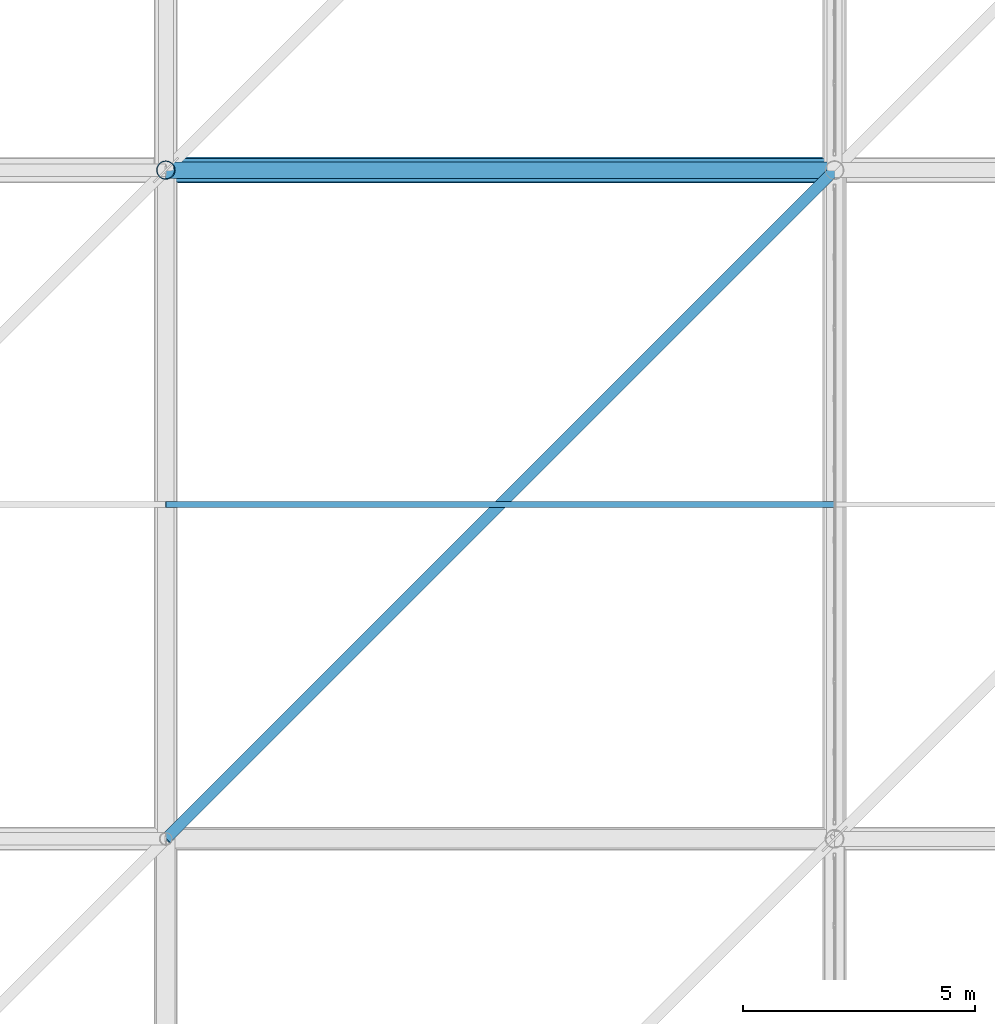
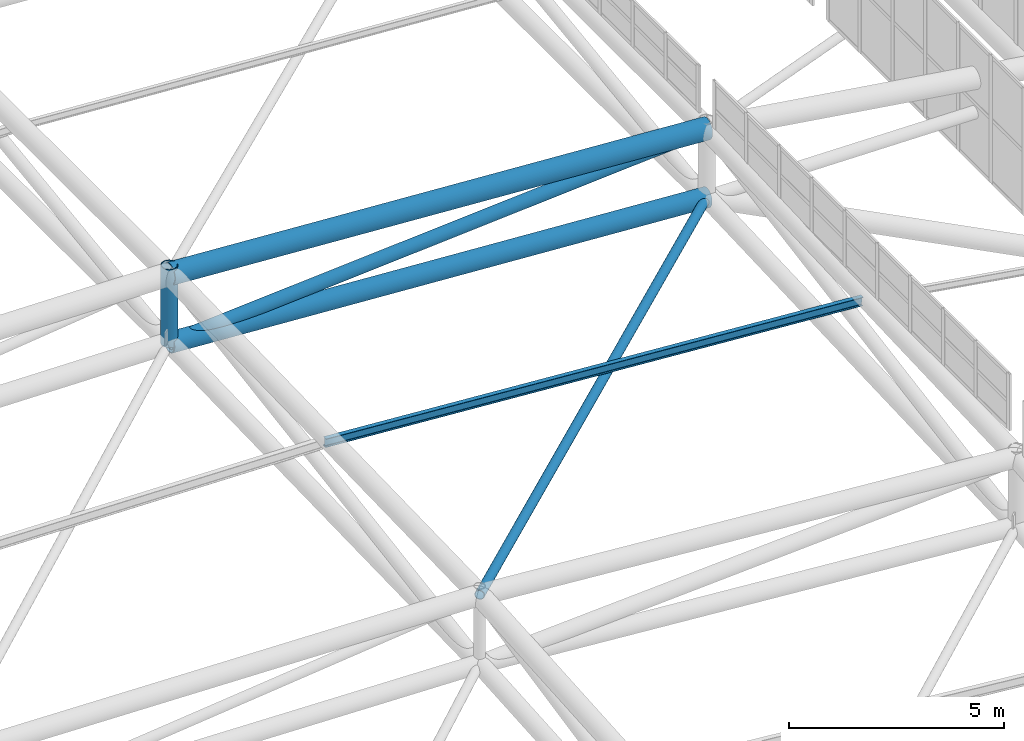
# One storey, part 136 of 397: 4 members, 2 beams.
"""IFC4 building model written with IfcOpenShell, lengths in metres."""

from ifc_helpers import new_model, si_unit, direction, frame, origin, origin_2d, place, context, subcontext, project, spatial, hollow_circle, i_section, extrude, material, material_profile, profile_set, type_object, element, save


model = new_model("IFC4")

# Units and contexts
model_context = context("Model", 3, precision=1e-05, world=origin(), true_north=direction((0.0, 1.0)))
body_context = subcontext(model_context, "Body", "Model", "MODEL_VIEW")
ifc_project = project(units=[si_unit("LENGTHUNIT", "METRE"), si_unit("AREAUNIT", "SQUARE_METRE"), si_unit("VOLUMEUNIT", "CUBIC_METRE"), si_unit("PLANEANGLEUNIT", "RADIAN"), si_unit("MASSUNIT", "GRAM", prefix="KILO")], contexts=[model_context])

# Site, building, storey
site_placement = place(None, origin())
site = spatial("IfcSite", under=ifc_project, at=site_placement, CompositionType="ELEMENT")
building_placement = place(site_placement, origin())
building = spatial("IfcBuilding", under=site, at=building_placement, Name="Qandorah Velis Arena", CompositionType="ELEMENT")
storey_placement = place(building_placement, frame((0.0, 0.0, 27.5)))
storey = spatial("IfcBuildingStorey", under=building, at=storey_placement, Name="RF", CompositionType="ELEMENT", Elevation=27.5)

# Member
ifc_material_1 = material(Name="Steel S355", Category="steel")
ifc_material_profile_1 = material_profile(ifc_material_1, i_section(OverallWidth=0.1201171875, OverallDepth=0.239990234375, WebThickness=0.006103515625, FlangeThickness=0.009765625, FilletRadius=0.014892578125, at=origin_2d()), Name="IPE 240")
ifc_profile_set_1 = profile_set([ifc_material_profile_1], Name="Steel S355")
member_type_1 = type_object("IfcMemberType", Name="STR-PRL-IPE240", PredefinedType="PURLIN", material=ifc_profile_set_1)
member_1_placement = place(storey_placement, frame((86.39990234375, 50.39990234375, 9.948974609375), z_axis=(0.997482764956, 0.0, -0.070909333765), x_axis=(0.0, 1.0, 0.0)))
element("IfcMember", 1, at=member_1_placement, inside=storey, type_object=member_type_1, Name="Arena roof purlin PRL-5.2", PredefinedType="PURLIN", context=body_context, shape_type="SweptSolid", body=[
    extrude(i_section(OverallWidth=0.1201171875, OverallDepth=0.239990234375, WebThickness=0.006103515625, FlangeThickness=0.009765625, FilletRadius=0.014892578125, at=origin_2d()), origin(), (0.0, 0.0, 1.0), 14.4365234375),
])

# Beams
ifc_material_profile_2 = material_profile(ifc_material_1, hollow_circle(Radius=0.25390625, WallThickness=0.02490234375, at=origin_2d()), Name="CHS 508x25")
ifc_profile_set_2 = profile_set([ifc_material_profile_2], Name="Steel S355")
beam_type_1 = type_object("IfcBeamType", Name="STR-SFC-CHS508X25", PredefinedType="USERDEFINED", material=ifc_profile_set_2)
beam_1_placement = place(storey_placement, frame((86.39990234375, 57.60009765625, 8.39892578125), z_axis=(0.997983976694, 0.0, -0.063466386867), x_axis=(0.0, 1.0, 0.0)))
element("IfcBeam", 2, at=beam_1_placement, inside=storey, type_object=beam_type_1, Name="Space frame roof truss bottom chord X 5.3", ObjectType="ROOF TRUSS", PredefinedType="USERDEFINED", context=body_context, shape_type="SweptSolid", body=[
    extrude(hollow_circle(Radius=0.25390625, WallThickness=0.02490234375, at=origin_2d()), origin(), (0.0, 0.0, 1.0), 14.42919921875),
])
ifc_material_profile_3 = material_profile(ifc_material_1, hollow_circle(Radius=0.279541015625, WallThickness=0.02490234375, at=origin_2d()), Name="CHS 559x25")
ifc_profile_set_3 = profile_set([ifc_material_profile_3], Name="Steel S355")
beam_type_2 = type_object("IfcBeamType", Name="STR-SFC-CHS559X25", PredefinedType="USERDEFINED", material=ifc_profile_set_3)
beam_2_placement = place(storey_placement, frame((86.39990234375, 57.60009765625, 10.34912109375), z_axis=(0.997982904876, 0.0, -0.063483238545), x_axis=(0.0, 1.0, 0.0)))
element("IfcBeam", 3, at=beam_2_placement, inside=storey, type_object=beam_type_2, Name="Space frame roof truss top chord X 5.3", ObjectType="ROOF TRUSS", PredefinedType="USERDEFINED", context=body_context, shape_type="SweptSolid", body=[
    extrude(hollow_circle(Radius=0.279541015625, WallThickness=0.02490234375, at=origin_2d()), origin(), (0.0, 0.0, 1.0), 14.42919921875),
])

# Members
ifc_material_profile_4 = material_profile(ifc_material_1, hollow_circle(Radius=0.122314453125, WallThickness=0.012451171875, at=origin_2d()), Name="CHS 244.5x12.5")
ifc_profile_set_4 = profile_set([ifc_material_profile_4], Name="Steel S355")
member_type_2 = type_object("IfcMemberType", Name="STR-SFD-CHS244X12", PredefinedType="STRUT", material=ifc_profile_set_4)
member_2_placement = place(storey_placement, frame((100.800048828125, 57.60009765625, 7.483154296875), z_axis=(-0.701814741224, -0.701814741224, 0.122115265232), x_axis=(0.707106781187, -0.707106781187, 0.0)))
element("IfcMember", 4, at=member_2_placement, inside=storey, type_object=member_type_2, Name="Space frame roof spatial diagonal 5.2", PredefinedType="STRUT", context=body_context, shape_type="SweptSolid", body=[
    extrude(hollow_circle(Radius=0.122314453125, WallThickness=0.012451171875, at=origin_2d()), origin(), (0.0, 0.0, 1.0), 20.5185546875),
])
ifc_material_profile_5 = material_profile(ifc_material_1, hollow_circle(Radius=0.177734375, WallThickness=0.01611328125, at=origin_2d()), Name="CHS 355.6x16")
ifc_profile_set_5 = profile_set([ifc_material_profile_5], Name="Steel S355")
member_type_3 = type_object("IfcMemberType", Name="STR-SFD-CHS355X16", PredefinedType="STRUT", material=ifc_profile_set_5)
member_3_placement = place(storey_placement, frame((86.39990234375, 57.60009765625, 8.39892578125), z_axis=(0.997431070588, 0.0, 0.071632809708), x_axis=(0.0, 1.0, 0.0)))
element("IfcMember", 5, at=member_3_placement, inside=storey, type_object=member_type_3, Name="Space frame roof diagonal X 5.3", PredefinedType="STRUT", context=body_context, shape_type="SweptSolid", body=[
    extrude(hollow_circle(Radius=0.177734375, WallThickness=0.01611328125, at=origin_2d()), origin(), (0.0, 0.0, 1.0), 14.437255859375),
])
ifc_material_2 = material(Name="Steel S460", Category="steel")
ifc_material_profile_6 = material_profile(ifc_material_2, hollow_circle(Radius=0.203125, WallThickness=0.02001953125, at=origin_2d()), Name="CHS 406.4x20")
ifc_profile_set_6 = profile_set([ifc_material_profile_6], Name="Steel S460")
member_type_4 = type_object("IfcMemberType", Name="STR-SFD-CHS406X20", PredefinedType="STRUT", material=ifc_profile_set_6)
member_4_placement = place(storey_placement, frame((86.39990234375, 57.60009765625, 8.39892578125), z_axis=(0.0, 0.0, 1.0), x_axis=(1.0, 0.0, 0.0)))
element("IfcMember", 6, at=member_4_placement, inside=storey, type_object=member_type_4, Name="Space frame roof vertical post 5.3", PredefinedType="STRUT", context=body_context, shape_type="SweptSolid", body=[
    extrude(hollow_circle(Radius=0.203125, WallThickness=0.02001953125, at=origin_2d()), origin(), (0.0, 0.0, 1.0), 2.2099609375),
])

save(model, "model.ifc")
